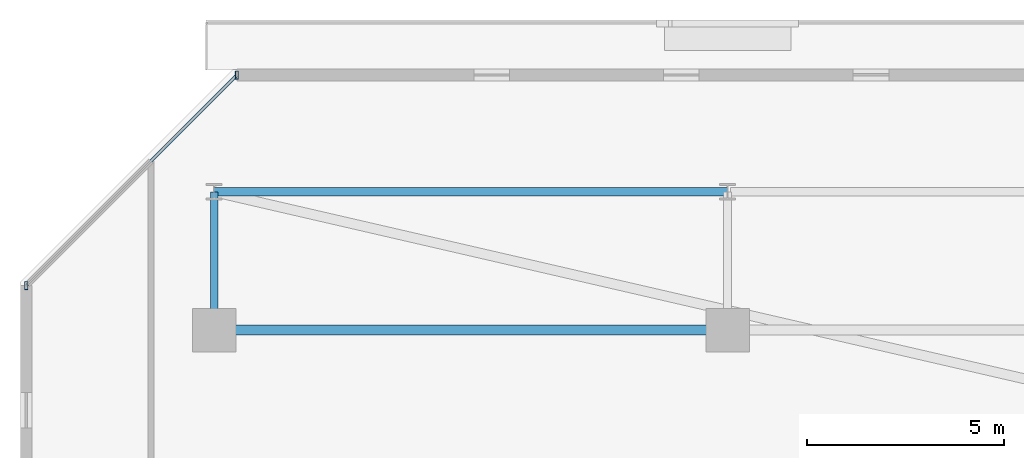
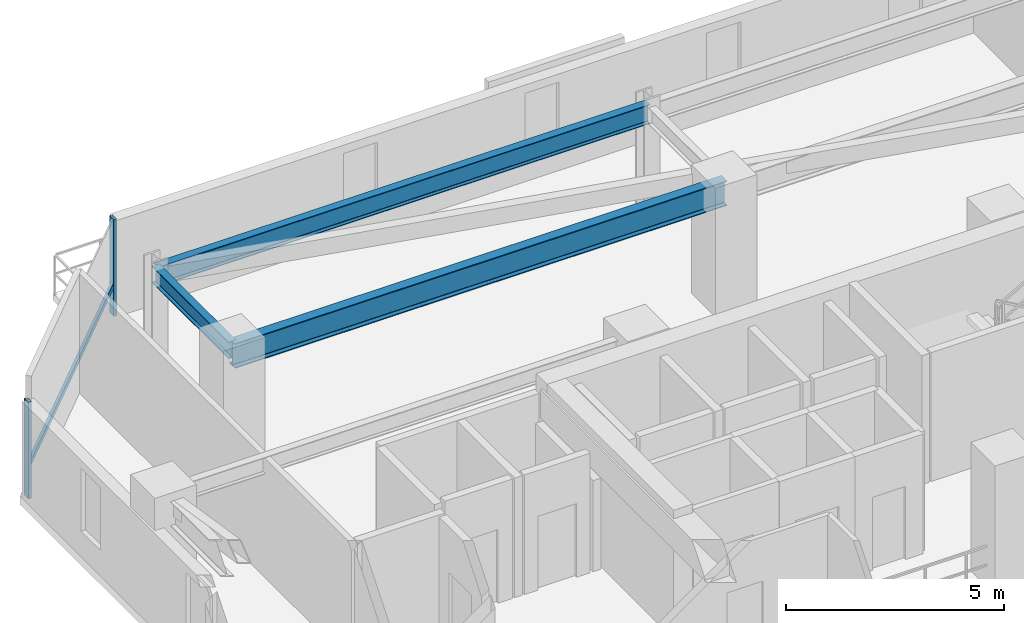
# One storey, part 8 of 33: 3 beams, 3 members, 1 element without a shape of its own.
"""IFC4 building model written with IfcOpenShell, lengths in metres."""

from ifc_helpers import new_model, si_unit, direction, frame, origin, origin_2d, place, context, subcontext, project, spatial, hollow_rectangle, i_section, extrude, material, material_profile, profile_set, type_object, element, aggregate, save


model = new_model("IFC4")

# Units and contexts
model_context = context("Model", 3, precision=1e-05, world=origin(), true_north=direction((0.0, 1.0)))
body_context = subcontext(model_context, "Body", "Model", "MODEL_VIEW")
ifc_project = project(units=[si_unit("LENGTHUNIT", "METRE"), si_unit("AREAUNIT", "SQUARE_METRE"), si_unit("VOLUMEUNIT", "CUBIC_METRE"), si_unit("PLANEANGLEUNIT", "RADIAN"), si_unit("MASSUNIT", "GRAM", prefix="KILO")], contexts=[model_context])

# Site, building, storey
site_placement = place(None, origin())
site = spatial("IfcSite", under=ifc_project, at=site_placement, CompositionType="ELEMENT")
building_placement = place(site_placement, origin())
building = spatial("IfcBuilding", under=site, at=building_placement, Name="Thornwick Lancets Civic Towers", CompositionType="ELEMENT")
storey_placement = place(building_placement, frame((0.0, 0.0, 185.699951171875)))
storey = spatial("IfcBuildingStorey", under=building, at=storey_placement, Name="L49", CompositionType="ELEMENT", Elevation=185.699951171875)

# Beams
ifc_material_1 = material(Name="Steel S355JR", Category="steel")
ifc_material_profile_1 = material_profile(ifc_material_1, i_section(OverallWidth=0.210693359375, OverallDepth=0.53955078125, WebThickness=0.01171875, FlangeThickness=0.018798828125, FilletRadius=0.0126953125, at=origin_2d()), Name="UKB 533x210x109")
ifc_profile_set_1 = profile_set([ifc_material_profile_1], Name="Steel S355JR")
beam_type_1 = type_object("IfcBeamType", Name="BM_EDGE_533_109", PredefinedType="SPANDREL", material=ifc_profile_set_1)
beam_1_placement = place(storey_placement, frame((12.5, 47.800048828125, 3.09033203125), z_axis=(1.0, 0.0, 0.0), x_axis=(0.0, 1.0, 0.0)))
element("IfcBeam", 1, at=beam_1_placement, inside=storey, type_object=beam_type_1, Name="BM-EDGE-L49-A-S2-1", PredefinedType="SPANDREL", context=body_context, shape_type="SweptSolid", body=[
    extrude(i_section(OverallWidth=0.210693359375, OverallDepth=0.53955078125, WebThickness=0.01171875, FlangeThickness=0.018798828125, FilletRadius=0.0126953125, at=origin_2d()), origin(), (0.0, 0.0, 1.0), 13.0),
])
ifc_material_profile_2 = material_profile(ifc_material_1, i_section(OverallWidth=0.255859375, OverallDepth=0.69287109375, WebThickness=0.014404296875, FlangeThickness=0.023681640625, FilletRadius=0.01513671875, at=origin_2d()), Name="UKB 686x254x170")
ifc_profile_set_2 = profile_set([ifc_material_profile_2], Name="Steel S355JR")
beam_type_2 = type_object("IfcBeamType", Name="BM_GIRD_686_170", PredefinedType="BEAM", material=ifc_profile_set_2)
beam_2_placement = place(storey_placement, frame((12.5, 44.300048828125, 3.013427734375), z_axis=(1.0, 0.0, 0.0), x_axis=(0.0, 1.0, 0.0)))
element("IfcBeam", 2, at=beam_2_placement, inside=storey, type_object=beam_type_2, Name="BM-SPINE-L49-A-6-7", PredefinedType="BEAM", context=body_context, shape_type="SweptSolid", body=[
    extrude(i_section(OverallWidth=0.255859375, OverallDepth=0.69287109375, WebThickness=0.014404296875, FlangeThickness=0.023681640625, FilletRadius=0.01513671875, at=origin_2d()), origin(), (0.0, 0.0, 1.0), 13.0),
])
ifc_material_profile_3 = material_profile(ifc_material_1, i_section(OverallWidth=0.19287109375, OverallDepth=0.46728515625, WebThickness=0.011474609375, FlangeThickness=0.01953125, FilletRadius=0.01025390625, at=origin_2d()), Name="UKB 457x191x98")
ifc_profile_set_3 = profile_set([ifc_material_profile_3], Name="Steel S355JR")
beam_type_3 = type_object("IfcBeamType", Name="BM_JOIST_457_98", PredefinedType="JOIST", material=ifc_profile_set_3)
beam_3_placement = place(storey_placement, frame((12.5, 44.300048828125, 3.12646484375), z_axis=(0.0, 1.0, 0.0), x_axis=(-1.0, 0.0, 0.0)))
element("IfcBeam", 3, at=beam_3_placement, inside=storey, type_object=beam_type_3, Name="BM-RAD-L49-A07", PredefinedType="JOIST", context=body_context, shape_type="SweptSolid", body=[
    extrude(i_section(OverallWidth=0.19287109375, OverallDepth=0.46728515625, WebThickness=0.011474609375, FlangeThickness=0.01953125, FilletRadius=0.01025390625, at=origin_2d()), origin(), (0.0, 0.0, 1.0), 3.5),
])

# Curtain wall, members
ifc_material_2 = material(Name="Mid-zone chamfered-corner unitised glass curtain wall", Category="glass")
curtain_wall_type = type_object("IfcCurtainWallType", Name="CW_SYS_04", PredefinedType="NOTDEFINED", material=ifc_material_2)
curtain_wall_placement = place(storey_placement, origin())
curtain_wall = element("IfcCurtainWall", 4, at=curtain_wall_placement, inside=storey, type_object=curtain_wall_type, Name="L49 Curtain Wall CW-L49-A-E5", PredefinedType="NOTDEFINED")
ifc_material_3 = material(Name="Thermally broken bronze aluminium S355", Category="steel")
ifc_material_profile_4 = material_profile(ifc_material_3, hollow_rectangle(XDim=0.080078125, YDim=0.199951171875, WallThickness=0.006103515625, at=origin_2d()), Name="RHS 200x80x6")
ifc_profile_set_4 = profile_set([ifc_material_profile_4], Name="Thermally broken bronze aluminium S355")
member_type_1 = type_object("IfcMemberType", Name="CW_MUL_200", PredefinedType="MULLION", material=ifc_profile_set_4)
member_1_placement = place(storey_placement, frame((13.076416015625, 50.755615234375, 0.0), z_axis=(0.0, 0.0, 1.0), x_axis=(1.0, 0.0, 0.0)))
member_1 = element("IfcMember", 5, at=member_1_placement, type_object=member_type_1, Name="CW-L49-A-E5 Mullion 0", PredefinedType="MULLION", context=body_context, shape_type="SweptSolid", body=[
    extrude(hollow_rectangle(XDim=0.080078125, YDim=0.199951171875, WallThickness=0.006103515625, at=origin_2d()), origin(), (0.0, 0.0, 1.0), 2.699951171875),
])
member_2_placement = place(storey_placement, frame((7.744384765625, 45.423583984375, 0.0), z_axis=(0.0, 0.0, 1.0), x_axis=(1.0, 0.0, 0.0)))
member_2 = element("IfcMember", 6, at=member_2_placement, type_object=member_type_1, Name="CW-L49-A-E5 Mullion 1", PredefinedType="MULLION", context=body_context, shape_type="SweptSolid", body=[
    extrude(hollow_rectangle(XDim=0.080078125, YDim=0.199951171875, WallThickness=0.006103515625, at=origin_2d()), origin(), (0.0, 0.0, 1.0), 2.699951171875),
])
ifc_material_profile_5 = material_profile(ifc_material_3, hollow_rectangle(XDim=0.074951171875, YDim=0.14990234375, WallThickness=0.0048828125, at=origin_2d()), Name="RHS 150x75x5")
ifc_profile_set_5 = profile_set([ifc_material_profile_5], Name="Thermally broken bronze aluminium S355")
member_type_2 = type_object("IfcMemberType", Name="CW_TRN_150", PredefinedType="USERDEFINED", material=ifc_profile_set_5)
member_3_placement = place(storey_placement, frame((13.062255859375, 50.741455078125, 0.85009765625), z_axis=(-0.707106781187, -0.707106781187, 0.0), x_axis=(0.707106781187, -0.707106781187, 0.0)))
member_3 = element("IfcMember", 7, at=member_3_placement, type_object=member_type_2, Name="CW-L49-A-E5 Transom 0", ObjectType="TRANSOM", PredefinedType="USERDEFINED", context=body_context, shape_type="SweptSolid", body=[
    extrude(hollow_rectangle(XDim=0.074951171875, YDim=0.14990234375, WallThickness=0.0048828125, at=origin_2d()), origin(), (0.0, 0.0, 1.0), 7.50048828125),
])
aggregate(curtain_wall, [member_1, member_2, member_3])

save(model, "model.ifc")
